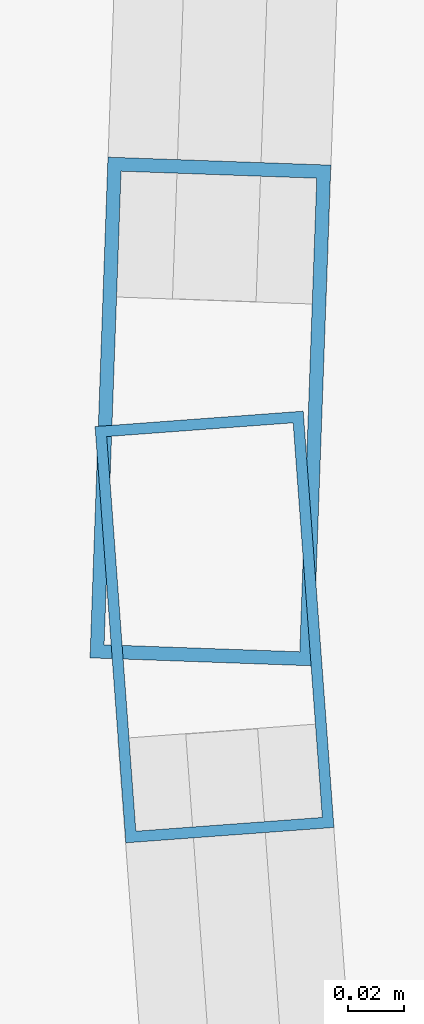
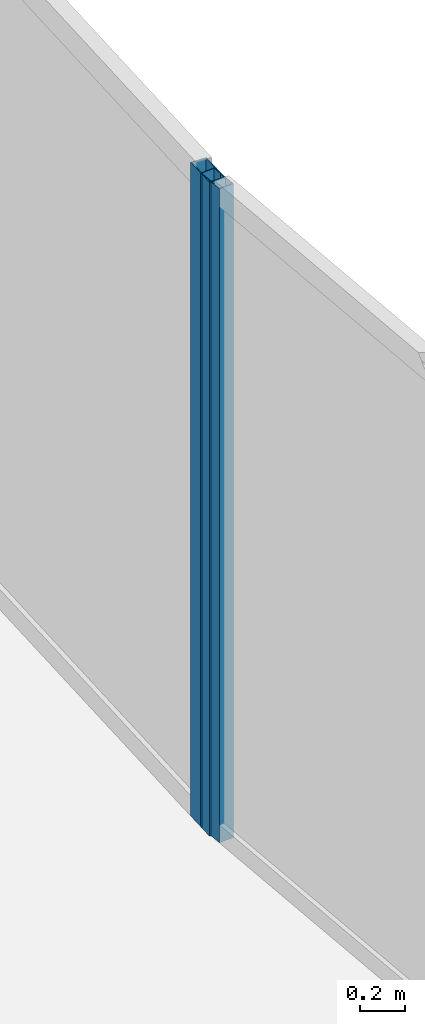
# One storey, part 12 of 23: 2 members, 2 elements without a shape of their own.
"""IFC4 building model written with IfcOpenShell, lengths in metres."""

from ifc_helpers import new_model, si_unit, direction, frame, origin, origin_2d, place, context, subcontext, project, spatial, hollow_rectangle, extrude, material, layer, layer_set, material_profile, profile_set, type_object, element, aggregate, save


model = new_model("IFC4")

# Units and contexts
model_context = context("Model", 3, precision=1e-05, world=origin(), true_north=direction((0.0, 1.0)))
body_context = subcontext(model_context, "Body", "Model", "MODEL_VIEW")
ifc_project = project(units=[si_unit("LENGTHUNIT", "METRE"), si_unit("AREAUNIT", "SQUARE_METRE"), si_unit("VOLUMEUNIT", "CUBIC_METRE"), si_unit("PLANEANGLEUNIT", "RADIAN"), si_unit("MASSUNIT", "GRAM", prefix="KILO")], contexts=[model_context])

# Site, building, storey
site_placement = place(None, origin())
site = spatial("IfcSite", under=ifc_project, at=site_placement, CompositionType="ELEMENT")
building_placement = place(site_placement, origin())
building = spatial("IfcBuilding", under=site, at=building_placement, Name="Kazevale Care Tower and Concert Hall", CompositionType="ELEMENT")
storey_placement = place(building_placement, frame((0.0, 0.0, 266.199951171875)))
storey = spatial("IfcBuildingStorey", under=building, at=storey_placement, Name="L70", CompositionType="ELEMENT", Elevation=266.199951171875)

# Curtain wall, member
ifc_material_1 = material(Name="Aluminium 6063-T6 and Low-E Glass", Category="aluminium")
ifc_layer_1 = layer(ifc_material_1, 0.179931640625)
ifc_layer_set_1 = layer_set([ifc_layer_1], Name="Aluminium 6063-T6 and Low-E Glass")
curtain_wall_type_1 = type_object("IfcCurtainWallType", Name="Waist & Upper Residential Curtain Wall CW-4", PredefinedType="NOTDEFINED", material=ifc_layer_set_1)
curtain_wall_1_placement = place(storey_placement, origin())
curtain_wall_1 = element("IfcCurtainWall", 1, at=curtain_wall_1_placement, inside=storey, type_object=curtain_wall_type_1, Name="cw:L70:f14", PredefinedType="NOTDEFINED")
ifc_material_2 = material(Name="Aluminium 6063-T6", Category="aluminium")
ifc_material_profile_1 = material_profile(ifc_material_2, hollow_rectangle(XDim=0.080078125, YDim=0.179931640625, WallThickness=0.0048828125, at=origin_2d()), Name="ALU80x180x5")
ifc_profile_set_1 = profile_set([ifc_material_profile_1], Name="Aluminium 6063-T6")
member_type_1 = type_object("IfcMemberType", Name="CW-4 Mullion ALU80x180x5", PredefinedType="MULLION", material=ifc_profile_set_1)
member_1_placement = place(storey_placement, frame((51.42041015625, 32.47705078125, 0.0), z_axis=(0.0, 0.0, 1.0), x_axis=(0.99935931051, -0.035790620226, 0.0)))
member_1 = element("IfcMember", 2, at=member_1_placement, type_object=member_type_1, Name="CW-4 mullion 2", PredefinedType="MULLION", context=body_context, shape_type="SweptSolid", body=[
    extrude(hollow_rectangle(XDim=0.080078125, YDim=0.179931640625, WallThickness=0.0048828125, at=origin_2d()), origin(), (0.0, 0.0, 1.0), 3.56005859375),
])
aggregate(curtain_wall_1, [member_1])

ifc_layer_2 = layer(ifc_material_1, 0.179931640625)
ifc_layer_set_2 = layer_set([ifc_layer_2], Name="Aluminium 6063-T6 and Low-E Glass")
curtain_wall_type_2 = type_object("IfcCurtainWallType", Name="Sheltered Concave Balcony Curtain Wall CW-5", PredefinedType="NOTDEFINED", material=ifc_layer_set_2)
curtain_wall_2_placement = place(storey_placement, origin())
curtain_wall_2 = element("IfcCurtainWall", 3, at=curtain_wall_2_placement, inside=storey, type_object=curtain_wall_type_2, Name="cw:L70:f15", PredefinedType="NOTDEFINED")
ifc_material_profile_2 = material_profile(ifc_material_2, hollow_rectangle(XDim=0.074951171875, YDim=0.14990234375, WallThickness=0.00390625, at=origin_2d()), Name="ALU75x150x4")
ifc_profile_set_2 = profile_set([ifc_material_profile_2], Name="Aluminium 6063-T6")
member_type_2 = type_object("IfcMemberType", Name="CW-5 Mullion ALU75x150x4", PredefinedType="MULLION", material=ifc_profile_set_2)
member_2_placement = place(storey_placement, frame((51.421875, 32.399658203125, 0.0), z_axis=(0.0, 0.0, 1.0), x_axis=(0.997279450578, 0.07371361784, 0.0)))
member_2 = element("IfcMember", 4, at=member_2_placement, type_object=member_type_2, Name="CW-5 mullion 1", PredefinedType="MULLION", context=body_context, shape_type="SweptSolid", body=[
    extrude(hollow_rectangle(XDim=0.074951171875, YDim=0.14990234375, WallThickness=0.00390625, at=origin_2d()), origin(), (0.0, 0.0, 1.0), 3.56005859375),
])
aggregate(curtain_wall_2, [member_2])

save(model, "model.ifc")
